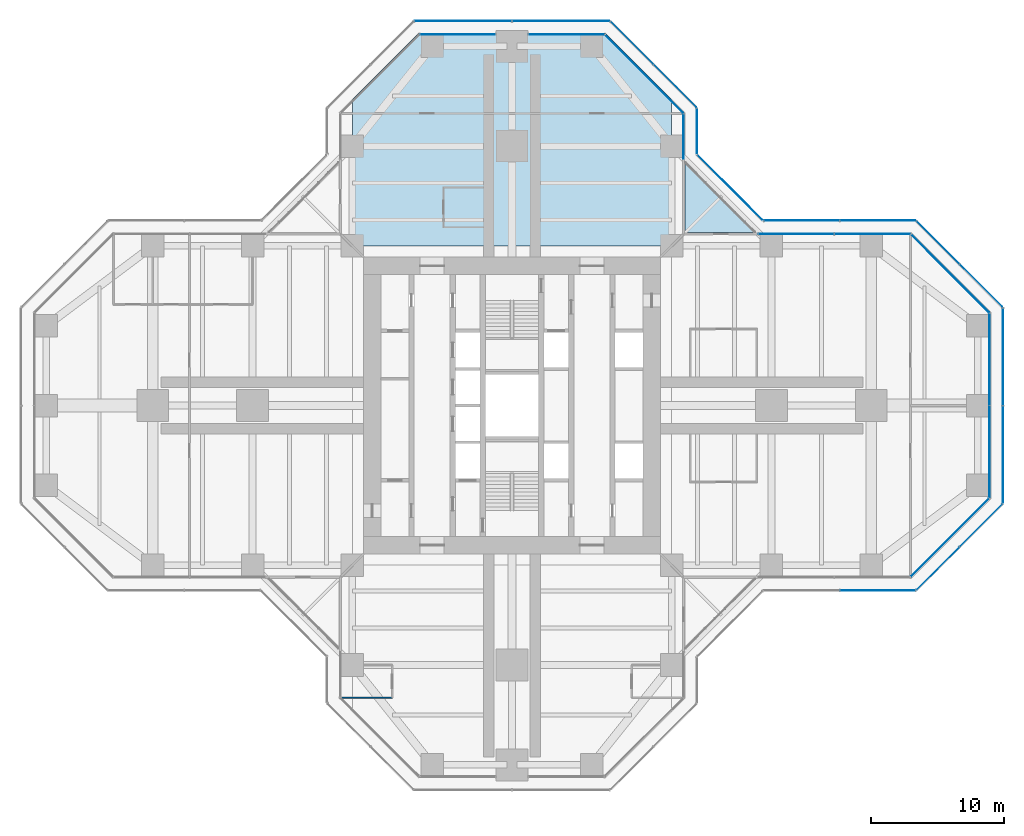
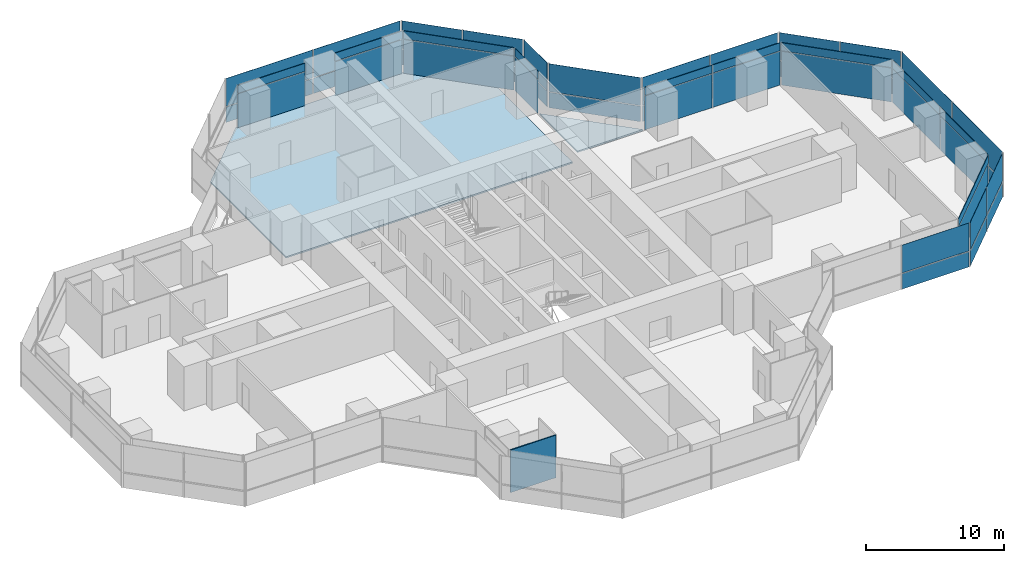
# One storey, part 14 of 19: 50 plates, 2 slabs, 1 wall, 17 elements without a shape of their own.
"""IFC4 building model written with IfcOpenShell, lengths in metres."""

from ifc_helpers import new_model, si_unit, direction, frame, frame_2d, origin, origin_2d, place, context, subcontext, project, spatial, polyline, rectangle, outline, extrude, material, layer, layer_set, type_object, element, aggregate, save


model = new_model("IFC4")

# Units and contexts
model_context = context("Model", 3, precision=1e-05, world=origin(), true_north=direction((0.0, 1.0)))
body_context = subcontext(model_context, "Body", "Model", "MODEL_VIEW")
ifc_project = project(units=[si_unit("LENGTHUNIT", "METRE"), si_unit("AREAUNIT", "SQUARE_METRE"), si_unit("VOLUMEUNIT", "CUBIC_METRE"), si_unit("PLANEANGLEUNIT", "RADIAN"), si_unit("MASSUNIT", "GRAM", prefix="KILO")], contexts=[model_context])

# Site, building, storey
site_placement = place(None, origin())
site = spatial("IfcSite", under=ifc_project, at=site_placement, CompositionType="ELEMENT")
building_placement = place(site_placement, origin())
building = spatial("IfcBuilding", under=site, at=building_placement, Name="Mizan Broadcast Tower", CompositionType="ELEMENT")
storey_placement = place(building_placement, frame((0.0, 0.0, 159.300048828125)))
storey = spatial("IfcBuildingStorey", under=building, at=storey_placement, Name="L36", CompositionType="ELEMENT", Elevation=159.300048828125)

# Slab
ifc_material_1 = material(Name="Concrete C32/40", Category="concrete")
ifc_layer_1 = layer(ifc_material_1, 0.1298828125)
ifc_layer_set_1 = layer_set([ifc_layer_1], Name="Concrete C32/40")
slab_type_1 = type_object("IfcSlabType", Name="COMPOSITE DECK SLAB 130", PredefinedType="FLOOR", material=ifc_layer_set_1)
slab_1_placement = place(storey_placement, frame((0.0, 0.0, -0.130126953125)))
element("IfcSlab", 1, at=slab_1_placement, inside=storey, type_object=slab_type_1, Name="Floor slab L36 north arm", PredefinedType="FLOOR", context=body_context, shape_type="SweptSolid", body=[
    extrude(outline(polyline([(-7.0, 28.0), (-12.0, 23.0), (-12.0, 12.0), (12.0, 12.0), (12.0, 23.0), (7.0, 28.0), (-7.0, 28.0)])), origin(), (0.0, 0.0, 1.0), 0.130126953125),
])

# Curtain wall, plate
ifc_material_2 = material(Name="Aluminium framed glazing", Category="aluminium")
curtain_wall_type_1 = type_object("IfcCurtainWallType", Name="INNER SKIN MID ZONE", PredefinedType="USERDEFINED", material=ifc_material_2)
curtain_wall_1_placement = place(storey_placement, origin())
curtain_wall_1 = element("IfcCurtainWall", 2, at=curtain_wall_1_placement, inside=storey, type_object=curtain_wall_type_1, Name="Inner skin mid zone L36 E chamfer", ObjectType="INNER SKIN MID ZONE", PredefinedType="USERDEFINED")
ifc_material_3 = material(Name="Double glazing, clear low-e", Category="glass")
ifc_layer_2 = layer(ifc_material_3, 0.028076171875)
ifc_layer_set_2 = layer_set([ifc_layer_2], Name="Double glazing, clear low-e")
plate_type_1 = type_object("IfcPlateType", Name="INNER SKIN GLAZING UNIT", PredefinedType="CURTAIN_PANEL", material=ifc_layer_set_2)
plate_1_placement = place(storey_placement, frame((32.92919921875, -9.92919921875, 0.0), z_axis=(0.0, 0.0, 1.0), x_axis=(0.707106781187, 0.707106781187, 0.0)))
plate_1 = element("IfcPlate", 3, at=plate_1_placement, type_object=plate_type_1, Name="Inner skin mid zone L36 E chamfer panel 1.1", PredefinedType="CURTAIN_PANEL", context=body_context, shape_type="SweptSolid", body=[
    extrude(rectangle(XDim=8.282470703125, YDim=0.028076171875, at=origin_2d()), origin(), (0.0, 0.0, 1.0), 3.0),
])

# Curtain wall, plates
curtain_wall_2_placement = place(storey_placement, origin())
curtain_wall_2 = element("IfcCurtainWall", 4, at=curtain_wall_2_placement, inside=storey, type_object=curtain_wall_type_1, Name="Inner skin mid zone L36 E end", ObjectType="INNER SKIN MID ZONE", PredefinedType="USERDEFINED")
plate_2_placement = place(storey_placement, frame((35.89990234375, -3.46435546875, 0.0), z_axis=(0.0, 0.0, 1.0), x_axis=(0.0, 1.0, 0.0)))
plate_2 = element("IfcPlate", 5, at=plate_2_placement, type_object=plate_type_1, Name="Inner skin mid zone L36 E end panel 1.1", PredefinedType="CURTAIN_PANEL", context=body_context, shape_type="SweptSolid", body=[
    extrude(rectangle(XDim=6.86865234375, YDim=0.028076171875, at=origin_2d()), origin(), (0.0, 0.0, 1.0), 3.0),
])
plate_3_placement = place(storey_placement, frame((35.89990234375, 3.46435546875, 0.0), z_axis=(0.0, 0.0, 1.0), x_axis=(0.0, 1.0, 0.0)))
plate_3 = element("IfcPlate", 6, at=plate_3_placement, type_object=plate_type_1, Name="Inner skin mid zone L36 E end panel 2.1", PredefinedType="CURTAIN_PANEL", context=body_context, shape_type="SweptSolid", body=[
    extrude(rectangle(XDim=6.86865234375, YDim=0.028076171875, at=origin_2d()), origin(), (0.0, 0.0, 1.0), 3.0),
])

# Curtain wall, plate
curtain_wall_3_placement = place(storey_placement, origin())
curtain_wall_3 = element("IfcCurtainWall", 7, at=curtain_wall_3_placement, inside=storey, type_object=curtain_wall_type_1, Name="Inner skin mid zone L36 E chamfer", ObjectType="INNER SKIN MID ZONE", PredefinedType="USERDEFINED")
plate_4_placement = place(storey_placement, frame((32.92919921875, 9.92919921875, 0.0), z_axis=(0.0, 0.0, 1.0), x_axis=(-0.707106781187, 0.707106781187, 0.0)))
plate_4 = element("IfcPlate", 8, at=plate_4_placement, type_object=plate_type_1, Name="Inner skin mid zone L36 E chamfer panel 1.1", PredefinedType="CURTAIN_PANEL", context=body_context, shape_type="SweptSolid", body=[
    extrude(rectangle(XDim=8.282470703125, YDim=0.028076171875, at=origin_2d()), origin(), (0.0, 0.0, 1.0), 3.0),
])

# Curtain wall, plates
curtain_wall_4_placement = place(storey_placement, origin())
curtain_wall_4 = element("IfcCurtainWall", 9, at=curtain_wall_4_placement, inside=storey, type_object=curtain_wall_type_1, Name="Inner skin mid zone L36 E side", ObjectType="INNER SKIN MID ZONE", PredefinedType="USERDEFINED")
plate_5_placement = place(storey_placement, frame((27.078857421875, 12.89990234375, 0.0), z_axis=(0.0, 0.0, 1.0), x_axis=(-1.0, 0.0, 0.0)))
plate_5 = element("IfcPlate", 10, at=plate_5_placement, type_object=plate_type_1, Name="Inner skin mid zone L36 E side panel 1.1", PredefinedType="CURTAIN_PANEL", context=body_context, shape_type="SweptSolid", body=[
    extrude(rectangle(XDim=5.639404296875, YDim=0.028076171875, at=origin_2d()), origin(), (0.0, 0.0, 1.0), 3.0),
])
plate_6_placement = place(storey_placement, frame((21.379638671875, 12.89990234375, 0.0), z_axis=(0.0, 0.0, 1.0), x_axis=(-1.0, 0.0, 0.0)))
plate_6 = element("IfcPlate", 11, at=plate_6_placement, type_object=plate_type_1, Name="Inner skin mid zone L36 E side panel 2.1", PredefinedType="CURTAIN_PANEL", context=body_context, shape_type="SweptSolid", body=[
    extrude(rectangle(XDim=5.639404296875, YDim=0.028076171875, at=origin_2d()), origin(), (0.0, 0.0, 1.0), 3.0),
])

# Curtain wall, plate
curtain_wall_5_placement = place(storey_placement, origin())
curtain_wall_5 = element("IfcCurtainWall", 12, at=curtain_wall_5_placement, inside=storey, type_object=curtain_wall_type_1, Name="Inner skin mid zone L36 N side", ObjectType="INNER SKIN MID ZONE", PredefinedType="USERDEFINED")
plate_7_placement = place(storey_placement, frame((12.89990234375, 20.229248046875, 0.0), z_axis=(0.0, 0.0, 1.0), x_axis=(0.0, 1.0, 0.0)))
plate_7 = element("IfcPlate", 13, at=plate_7_placement, type_object=plate_type_1, Name="Inner skin mid zone L36 N side panel 1.1", PredefinedType="CURTAIN_PANEL", context=body_context, shape_type="SweptSolid", body=[
    extrude(rectangle(XDim=3.338623046875, YDim=0.028076171875, at=origin_2d()), origin(), (0.0, 0.0, 1.0), 3.0),
])

curtain_wall_6_placement = place(storey_placement, origin())
curtain_wall_6 = element("IfcCurtainWall", 14, at=curtain_wall_6_placement, inside=storey, type_object=curtain_wall_type_1, Name="Inner skin mid zone L36 N chamfer", ObjectType="INNER SKIN MID ZONE", PredefinedType="USERDEFINED")
plate_8_placement = place(storey_placement, frame((9.92919921875, 24.92919921875, 0.0), z_axis=(0.0, 0.0, 1.0), x_axis=(-0.707106781187, 0.707106781187, 0.0)))
plate_8 = element("IfcPlate", 15, at=plate_8_placement, type_object=plate_type_1, Name="Inner skin mid zone L36 N chamfer panel 1.1", PredefinedType="CURTAIN_PANEL", context=body_context, shape_type="SweptSolid", body=[
    extrude(rectangle(XDim=8.282470703125, YDim=0.028076171875, at=origin_2d()), origin(), (0.0, 0.0, 1.0), 3.0),
])

curtain_wall_7_placement = place(storey_placement, origin())
curtain_wall_7 = element("IfcCurtainWall", 16, at=curtain_wall_7_placement, inside=storey, type_object=curtain_wall_type_1, Name="Inner skin mid zone L36 N end", ObjectType="INNER SKIN MID ZONE", PredefinedType="USERDEFINED")
plate_9_placement = place(storey_placement, frame((4.079345703125, 27.89990234375, 0.0), z_axis=(0.0, 0.0, 1.0), x_axis=(-1.0, 0.0, 0.0)))
plate_9 = element("IfcPlate", 17, at=plate_9_placement, type_object=plate_type_1, Name="Inner skin mid zone L36 N end panel 1.1", PredefinedType="CURTAIN_PANEL", context=body_context, shape_type="SweptSolid", body=[
    extrude(rectangle(XDim=5.638671875, YDim=0.028076171875, at=origin_2d()), origin(), (0.0, 0.0, 1.0), 3.0),
])

curtain_wall_8_placement = place(storey_placement, origin())
curtain_wall_8 = element("IfcCurtainWall", 18, at=curtain_wall_8_placement, inside=storey, type_object=curtain_wall_type_1, Name="Inner skin mid zone L36 N end", ObjectType="INNER SKIN MID ZONE", PredefinedType="USERDEFINED")
plate_10_placement = place(storey_placement, frame((-4.079345703125, 27.89990234375, 0.0), z_axis=(0.0, 0.0, 1.0), x_axis=(-1.0, 0.0, 0.0)))
plate_10 = element("IfcPlate", 19, at=plate_10_placement, type_object=plate_type_1, Name="Inner skin mid zone L36 N end panel 1.1", PredefinedType="CURTAIN_PANEL", context=body_context, shape_type="SweptSolid", body=[
    extrude(rectangle(XDim=5.638671875, YDim=0.028076171875, at=origin_2d()), origin(), (0.0, 0.0, 1.0), 3.0),
])

# Plate
ifc_material_4 = material(Name="Insulated aluminium spandrel panel, pale anodised", Category="aluminium")
ifc_layer_3 = layer(ifc_material_4, 0.050048828125)
ifc_layer_set_3 = layer_set([ifc_layer_3], Name="Insulated aluminium spandrel panel, pale anodised")
plate_type_2 = type_object("IfcPlateType", Name="INNER SKIN SPANDREL PANEL", PredefinedType="CURTAIN_PANEL", material=ifc_layer_set_3)
plate_11_placement = place(storey_placement, frame((32.92919921875, -9.92919921875, 3.06005859375), z_axis=(0.0, 0.0, 1.0), x_axis=(0.707106781187, 0.707106781187, 0.0)))
plate_11 = element("IfcPlate", 20, at=plate_11_placement, type_object=plate_type_2, Name="Inner skin mid zone L36 E chamfer panel 1.2", PredefinedType="CURTAIN_PANEL", context=body_context, shape_type="SweptSolid", body=[
    extrude(rectangle(XDim=8.282470703125, YDim=0.050048828125, at=origin_2d()), origin(), (0.0, 0.0, 1.0), 0.7099609375),
])

aggregate(curtain_wall_1, [plate_1, plate_11])

plate_12_placement = place(storey_placement, frame((35.89990234375, -3.46435546875, 3.06005859375), z_axis=(0.0, 0.0, 1.0), x_axis=(0.0, 1.0, 0.0)))
plate_12 = element("IfcPlate", 21, at=plate_12_placement, type_object=plate_type_2, Name="Inner skin mid zone L36 E end panel 1.2", PredefinedType="CURTAIN_PANEL", context=body_context, shape_type="SweptSolid", body=[
    extrude(rectangle(XDim=6.86865234375, YDim=0.050048828125, at=origin_2d()), origin(), (0.0, 0.0, 1.0), 0.7099609375),
])

plate_13_placement = place(storey_placement, frame((35.89990234375, 3.46435546875, 3.06005859375), z_axis=(0.0, 0.0, 1.0), x_axis=(0.0, 1.0, 0.0)))
plate_13 = element("IfcPlate", 22, at=plate_13_placement, type_object=plate_type_2, Name="Inner skin mid zone L36 E end panel 2.2", PredefinedType="CURTAIN_PANEL", context=body_context, shape_type="SweptSolid", body=[
    extrude(rectangle(XDim=6.86865234375, YDim=0.050048828125, at=origin_2d()), origin(), (0.0, 0.0, 1.0), 0.7099609375),
])

aggregate(curtain_wall_2, [plate_2, plate_12, plate_3, plate_13])

plate_14_placement = place(storey_placement, frame((32.92919921875, 9.92919921875, 3.06005859375), z_axis=(0.0, 0.0, 1.0), x_axis=(-0.707106781187, 0.707106781187, 0.0)))
plate_14 = element("IfcPlate", 23, at=plate_14_placement, type_object=plate_type_2, Name="Inner skin mid zone L36 E chamfer panel 1.2", PredefinedType="CURTAIN_PANEL", context=body_context, shape_type="SweptSolid", body=[
    extrude(rectangle(XDim=8.282470703125, YDim=0.050048828125, at=origin_2d()), origin(), (0.0, 0.0, 1.0), 0.7099609375),
])

aggregate(curtain_wall_3, [plate_4, plate_14])

plate_15_placement = place(storey_placement, frame((27.078857421875, 12.89990234375, 3.06005859375), z_axis=(0.0, 0.0, 1.0), x_axis=(-1.0, 0.0, 0.0)))
plate_15 = element("IfcPlate", 24, at=plate_15_placement, type_object=plate_type_2, Name="Inner skin mid zone L36 E side panel 1.2", PredefinedType="CURTAIN_PANEL", context=body_context, shape_type="SweptSolid", body=[
    extrude(rectangle(XDim=5.639404296875, YDim=0.050048828125, at=origin_2d()), origin(), (0.0, 0.0, 1.0), 0.7099609375),
])

plate_16_placement = place(storey_placement, frame((21.379638671875, 12.89990234375, 3.06005859375), z_axis=(0.0, 0.0, 1.0), x_axis=(-1.0, 0.0, 0.0)))
plate_16 = element("IfcPlate", 25, at=plate_16_placement, type_object=plate_type_2, Name="Inner skin mid zone L36 E side panel 2.2", PredefinedType="CURTAIN_PANEL", context=body_context, shape_type="SweptSolid", body=[
    extrude(rectangle(XDim=5.639404296875, YDim=0.050048828125, at=origin_2d()), origin(), (0.0, 0.0, 1.0), 0.7099609375),
])

aggregate(curtain_wall_4, [plate_5, plate_15, plate_6, plate_16])

plate_17_placement = place(storey_placement, frame((12.89990234375, 20.229248046875, 3.06005859375), z_axis=(0.0, 0.0, 1.0), x_axis=(0.0, 1.0, 0.0)))
plate_17 = element("IfcPlate", 26, at=plate_17_placement, type_object=plate_type_2, Name="Inner skin mid zone L36 N side panel 1.2", PredefinedType="CURTAIN_PANEL", context=body_context, shape_type="SweptSolid", body=[
    extrude(rectangle(XDim=3.338623046875, YDim=0.050048828125, at=origin_2d()), origin(), (0.0, 0.0, 1.0), 0.7099609375),
])

aggregate(curtain_wall_5, [plate_7, plate_17])

plate_18_placement = place(storey_placement, frame((9.92919921875, 24.92919921875, 3.06005859375), z_axis=(0.0, 0.0, 1.0), x_axis=(-0.707106781187, 0.707106781187, 0.0)))
plate_18 = element("IfcPlate", 27, at=plate_18_placement, type_object=plate_type_2, Name="Inner skin mid zone L36 N chamfer panel 1.2", PredefinedType="CURTAIN_PANEL", context=body_context, shape_type="SweptSolid", body=[
    extrude(rectangle(XDim=8.282470703125, YDim=0.050048828125, at=origin_2d()), origin(), (0.0, 0.0, 1.0), 0.7099609375),
])

aggregate(curtain_wall_6, [plate_8, plate_18])

plate_19_placement = place(storey_placement, frame((4.079345703125, 27.89990234375, 3.06005859375), z_axis=(0.0, 0.0, 1.0), x_axis=(-1.0, 0.0, 0.0)))
plate_19 = element("IfcPlate", 28, at=plate_19_placement, type_object=plate_type_2, Name="Inner skin mid zone L36 N end panel 1.2", PredefinedType="CURTAIN_PANEL", context=body_context, shape_type="SweptSolid", body=[
    extrude(rectangle(XDim=5.638671875, YDim=0.050048828125, at=origin_2d()), origin(), (0.0, 0.0, 1.0), 0.7099609375),
])

aggregate(curtain_wall_7, [plate_9, plate_19])

plate_20_placement = place(storey_placement, frame((-4.079345703125, 27.89990234375, 3.06005859375), z_axis=(0.0, 0.0, 1.0), x_axis=(-1.0, 0.0, 0.0)))
plate_20 = element("IfcPlate", 29, at=plate_20_placement, type_object=plate_type_2, Name="Inner skin mid zone L36 N end panel 1.2", PredefinedType="CURTAIN_PANEL", context=body_context, shape_type="SweptSolid", body=[
    extrude(rectangle(XDim=5.638671875, YDim=0.050048828125, at=origin_2d()), origin(), (0.0, 0.0, 1.0), 0.7099609375),
])

aggregate(curtain_wall_8, [plate_10, plate_20])

# Curtain wall, plates
ifc_material_5 = material(Name="Aluminium framed glazing", Category="aluminium")
curtain_wall_type_2 = type_object("IfcCurtainWallType", Name="OUTER SKIN", PredefinedType="USERDEFINED", material=ifc_material_5)
curtain_wall_9_placement = place(storey_placement, origin())
curtain_wall_9 = element("IfcCurtainWall", 30, at=curtain_wall_9_placement, inside=storey, type_object=curtain_wall_type_2, Name="Outer skin L36 E chamfer", ObjectType="OUTER SKIN", PredefinedType="USERDEFINED")
ifc_material_6 = material(Name="Laminated clear glass", Category="glass")
ifc_layer_4 = layer(ifc_material_6, 0.02001953125)
ifc_layer_set_4 = layer_set([ifc_layer_4], Name="Laminated clear glass")
plate_type_3 = type_object("IfcPlateType", Name="OUTER SKIN CLEAR GLASS", PredefinedType="CURTAIN_PANEL", material=ifc_layer_set_4)
plate_21_placement = place(storey_placement, frame((32.018798828125, -12.254150390625, 0.0), z_axis=(0.0, 0.0, 1.0), x_axis=(0.707106781187, 0.707106781187, 0.0)))
plate_21 = element("IfcPlate", 31, at=plate_21_placement, type_object=plate_type_3, Name="Outer skin L36 E chamfer panel 1.1", PredefinedType="CURTAIN_PANEL", context=body_context, shape_type="SweptSolid", body=[
    extrude(rectangle(XDim=4.495361328125, YDim=0.02001953125, at=origin_2d()), origin(), (0.0, 0.0, 1.0), 1.3701171875),
])
plate_22_placement = place(storey_placement, frame((32.018798828125, -12.254150390625, 1.43017578125), z_axis=(0.0, 0.0, 1.0), x_axis=(0.707106781187, 0.707106781187, 0.0)))
plate_22 = element("IfcPlate", 32, at=plate_22_placement, type_object=plate_type_3, Name="Outer skin L36 E chamfer panel 1.2", PredefinedType="CURTAIN_PANEL", context=body_context, shape_type="SweptSolid", body=[
    extrude(rectangle(XDim=4.495361328125, YDim=0.02001953125, at=origin_2d()), origin(), (0.0, 0.0, 1.0), 2.469970703125),
])

curtain_wall_10_placement = place(storey_placement, origin())
curtain_wall_10 = element("IfcCurtainWall", 33, at=curtain_wall_10_placement, inside=storey, type_object=curtain_wall_type_2, Name="Outer skin L36 E end", ObjectType="OUTER SKIN", PredefinedType="USERDEFINED")
plate_23_placement = place(storey_placement, frame((36.89990234375, -3.66650390625, 0.0), z_axis=(0.0, 0.0, 1.0), x_axis=(0.0, 1.0, 0.0)))
plate_23 = element("IfcPlate", 34, at=plate_23_placement, type_object=plate_type_3, Name="Outer skin L36 E end panel 1.1", PredefinedType="CURTAIN_PANEL", context=body_context, shape_type="SweptSolid", body=[
    extrude(rectangle(XDim=7.252685546875, YDim=0.02001953125, at=origin_2d()), origin(), (0.0, 0.0, 1.0), 1.3701171875),
])
plate_24_placement = place(storey_placement, frame((36.89990234375, -3.66650390625, 1.43017578125), z_axis=(0.0, 0.0, 1.0), x_axis=(0.0, 1.0, 0.0)))
plate_24 = element("IfcPlate", 35, at=plate_24_placement, type_object=plate_type_3, Name="Outer skin L36 E end panel 1.2", PredefinedType="CURTAIN_PANEL", context=body_context, shape_type="SweptSolid", body=[
    extrude(rectangle(XDim=7.252685546875, YDim=0.02001953125, at=origin_2d()), origin(), (0.0, 0.0, 1.0), 2.469970703125),
])

curtain_wall_11_placement = place(storey_placement, origin())
curtain_wall_11 = element("IfcCurtainWall", 36, at=curtain_wall_11_placement, inside=storey, type_object=curtain_wall_type_2, Name="Outer skin L36 E chamfer", ObjectType="OUTER SKIN", PredefinedType="USERDEFINED")
plate_25_placement = place(storey_placement, frame((35.254150390625, 9.018798828125, 0.0), z_axis=(0.0, 0.0, 1.0), x_axis=(-0.707106781187, 0.707106781187, 0.0)))
plate_25 = element("IfcPlate", 37, at=plate_25_placement, type_object=plate_type_3, Name="Outer skin L36 E chamfer panel 1.1", PredefinedType="CURTAIN_PANEL", context=body_context, shape_type="SweptSolid", body=[
    extrude(rectangle(XDim=4.495361328125, YDim=0.02001953125, at=origin_2d()), origin(), (0.0, 0.0, 1.0), 1.3701171875),
])
plate_26_placement = place(storey_placement, frame((35.254150390625, 9.018798828125, 1.43017578125), z_axis=(0.0, 0.0, 1.0), x_axis=(-0.707106781187, 0.707106781187, 0.0)))
plate_26 = element("IfcPlate", 38, at=plate_26_placement, type_object=plate_type_3, Name="Outer skin L36 E chamfer panel 1.2", PredefinedType="CURTAIN_PANEL", context=body_context, shape_type="SweptSolid", body=[
    extrude(rectangle(XDim=4.495361328125, YDim=0.02001953125, at=origin_2d()), origin(), (0.0, 0.0, 1.0), 2.469970703125),
])

curtain_wall_12_placement = place(storey_placement, origin())
curtain_wall_12 = element("IfcCurtainWall", 39, at=curtain_wall_12_placement, inside=storey, type_object=curtain_wall_type_2, Name="Outer skin L36 E side", ObjectType="OUTER SKIN", PredefinedType="USERDEFINED")
plate_27_placement = place(storey_placement, frame((27.477783203125, 13.89990234375, 0.0), z_axis=(0.0, 0.0, 1.0), x_axis=(-1.0, 0.0, 0.0)))
plate_27 = element("IfcPlate", 40, at=plate_27_placement, type_object=plate_type_3, Name="Outer skin L36 E side panel 1.1", PredefinedType="CURTAIN_PANEL", context=body_context, shape_type="SweptSolid", body=[
    extrude(rectangle(XDim=5.6298828125, YDim=0.02001953125, at=origin_2d()), origin(), (0.0, 0.0, 1.0), 1.3701171875),
])
plate_28_placement = place(storey_placement, frame((27.477783203125, 13.89990234375, 1.43017578125), z_axis=(0.0, 0.0, 1.0), x_axis=(-1.0, 0.0, 0.0)))
plate_28 = element("IfcPlate", 41, at=plate_28_placement, type_object=plate_type_3, Name="Outer skin L36 E side panel 1.2", PredefinedType="CURTAIN_PANEL", context=body_context, shape_type="SweptSolid", body=[
    extrude(rectangle(XDim=5.6298828125, YDim=0.02001953125, at=origin_2d()), origin(), (0.0, 0.0, 1.0), 2.469970703125),
])
plate_29_placement = place(storey_placement, frame((21.767822265625, 13.89990234375, 0.0), z_axis=(0.0, 0.0, 1.0), x_axis=(-1.0, 0.0, 0.0)))
plate_29 = element("IfcPlate", 42, at=plate_29_placement, type_object=plate_type_3, Name="Outer skin L36 E side panel 2.1", PredefinedType="CURTAIN_PANEL", context=body_context, shape_type="SweptSolid", body=[
    extrude(rectangle(XDim=5.6298828125, YDim=0.02001953125, at=origin_2d()), origin(), (0.0, 0.0, 1.0), 1.3701171875),
])
plate_30_placement = place(storey_placement, frame((21.767822265625, 13.89990234375, 1.43017578125), z_axis=(0.0, 0.0, 1.0), x_axis=(-1.0, 0.0, 0.0)))
plate_30 = element("IfcPlate", 43, at=plate_30_placement, type_object=plate_type_3, Name="Outer skin L36 E side panel 2.2", PredefinedType="CURTAIN_PANEL", context=body_context, shape_type="SweptSolid", body=[
    extrude(rectangle(XDim=5.6298828125, YDim=0.02001953125, at=origin_2d()), origin(), (0.0, 0.0, 1.0), 2.469970703125),
])
aggregate(curtain_wall_12, [plate_27, plate_28, plate_29, plate_30])

curtain_wall_13_placement = place(storey_placement, origin())
curtain_wall_13 = element("IfcCurtainWall", 44, at=curtain_wall_13_placement, inside=storey, type_object=curtain_wall_type_2, Name="Outer skin L36 E chamfer", ObjectType="OUTER SKIN", PredefinedType="USERDEFINED")
plate_31_placement = place(storey_placement, frame((16.386474609375, 16.386474609375, 0.0), z_axis=(0.0, 0.0, 1.0), x_axis=(-0.707106781187, 0.707106781187, 0.0)))
plate_31 = element("IfcPlate", 45, at=plate_31_placement, type_object=plate_type_3, Name="Outer skin L36 E chamfer panel 1.1", PredefinedType="CURTAIN_PANEL", context=body_context, shape_type="SweptSolid", body=[
    extrude(rectangle(XDim=6.87255859375, YDim=0.02001953125, at=origin_2d()), origin(), (0.0, 0.0, 1.0), 1.3701171875),
])
plate_32_placement = place(storey_placement, frame((16.386474609375, 16.386474609375, 1.43017578125), z_axis=(0.0, 0.0, 1.0), x_axis=(-0.707106781187, 0.707106781187, 0.0)))
plate_32 = element("IfcPlate", 46, at=plate_32_placement, type_object=plate_type_3, Name="Outer skin L36 E chamfer panel 1.2", PredefinedType="CURTAIN_PANEL", context=body_context, shape_type="SweptSolid", body=[
    extrude(rectangle(XDim=6.87255859375, YDim=0.02001953125, at=origin_2d()), origin(), (0.0, 0.0, 1.0), 2.469970703125),
])
aggregate(curtain_wall_13, [plate_31, plate_32])

curtain_wall_14_placement = place(storey_placement, origin())
curtain_wall_14 = element("IfcCurtainWall", 47, at=curtain_wall_14_placement, inside=storey, type_object=curtain_wall_type_2, Name="Outer skin L36 N side", ObjectType="OUTER SKIN", PredefinedType="USERDEFINED")
plate_33_placement = place(storey_placement, frame((13.89990234375, 20.622802734375, 0.0), z_axis=(0.0, 0.0, 1.0), x_axis=(0.0, 1.0, 0.0)))
plate_33 = element("IfcPlate", 48, at=plate_33_placement, type_object=plate_type_3, Name="Outer skin L36 N side panel 1.1", PredefinedType="CURTAIN_PANEL", context=body_context, shape_type="SweptSolid", body=[
    extrude(rectangle(XDim=3.340087890625, YDim=0.02001953125, at=origin_2d()), origin(), (0.0, 0.0, 1.0), 1.3701171875),
])
plate_34_placement = place(storey_placement, frame((13.89990234375, 20.622802734375, 1.43017578125), z_axis=(0.0, 0.0, 1.0), x_axis=(0.0, 1.0, 0.0)))
plate_34 = element("IfcPlate", 49, at=plate_34_placement, type_object=plate_type_3, Name="Outer skin L36 N side panel 1.2", PredefinedType="CURTAIN_PANEL", context=body_context, shape_type="SweptSolid", body=[
    extrude(rectangle(XDim=3.340087890625, YDim=0.02001953125, at=origin_2d()), origin(), (0.0, 0.0, 1.0), 2.469970703125),
])
aggregate(curtain_wall_14, [plate_33, plate_34])

curtain_wall_15_placement = place(storey_placement, origin())
curtain_wall_15 = element("IfcCurtainWall", 50, at=curtain_wall_15_placement, inside=storey, type_object=curtain_wall_type_2, Name="Outer skin L36 N chamfer", ObjectType="OUTER SKIN", PredefinedType="USERDEFINED")
plate_35_placement = place(storey_placement, frame((12.254150390625, 24.018798828125, 0.0), z_axis=(0.0, 0.0, 1.0), x_axis=(-0.707106781187, 0.707106781187, 0.0)))
plate_35 = element("IfcPlate", 51, at=plate_35_placement, type_object=plate_type_3, Name="Outer skin L36 N chamfer panel 1.1", PredefinedType="CURTAIN_PANEL", context=body_context, shape_type="SweptSolid", body=[
    extrude(rectangle(XDim=4.495361328125, YDim=0.02001953125, at=origin_2d()), origin(), (0.0, 0.0, 1.0), 1.3701171875),
])
plate_36_placement = place(storey_placement, frame((12.254150390625, 24.018798828125, 1.43017578125), z_axis=(0.0, 0.0, 1.0), x_axis=(-0.707106781187, 0.707106781187, 0.0)))
plate_36 = element("IfcPlate", 52, at=plate_36_placement, type_object=plate_type_3, Name="Outer skin L36 N chamfer panel 1.2", PredefinedType="CURTAIN_PANEL", context=body_context, shape_type="SweptSolid", body=[
    extrude(rectangle(XDim=4.495361328125, YDim=0.02001953125, at=origin_2d()), origin(), (0.0, 0.0, 1.0), 2.469970703125),
])

curtain_wall_16_placement = place(storey_placement, origin())
curtain_wall_16 = element("IfcCurtainWall", 53, at=curtain_wall_16_placement, inside=storey, type_object=curtain_wall_type_2, Name="Outer skin L36 N end", ObjectType="OUTER SKIN", PredefinedType="USERDEFINED")
plate_37_placement = place(storey_placement, frame((3.66650390625, 28.89990234375, 0.0), z_axis=(0.0, 0.0, 1.0), x_axis=(-1.0, 0.0, 0.0)))
plate_37 = element("IfcPlate", 54, at=plate_37_placement, type_object=plate_type_3, Name="Outer skin L36 N end panel 1.1", PredefinedType="CURTAIN_PANEL", context=body_context, shape_type="SweptSolid", body=[
    extrude(rectangle(XDim=7.252685546875, YDim=0.02001953125, at=origin_2d()), origin(), (0.0, 0.0, 1.0), 1.3701171875),
])
plate_38_placement = place(storey_placement, frame((3.66650390625, 28.89990234375, 1.43017578125), z_axis=(0.0, 0.0, 1.0), x_axis=(-1.0, 0.0, 0.0)))
plate_38 = element("IfcPlate", 55, at=plate_38_placement, type_object=plate_type_3, Name="Outer skin L36 N end panel 1.2", PredefinedType="CURTAIN_PANEL", context=body_context, shape_type="SweptSolid", body=[
    extrude(rectangle(XDim=7.252685546875, YDim=0.02001953125, at=origin_2d()), origin(), (0.0, 0.0, 1.0), 2.469970703125),
])
plate_39_placement = place(storey_placement, frame((-3.66650390625, 28.89990234375, 0.0), z_axis=(0.0, 0.0, 1.0), x_axis=(-1.0, 0.0, 0.0)))
plate_39 = element("IfcPlate", 56, at=plate_39_placement, type_object=plate_type_3, Name="Outer skin L36 N end panel 2.1", PredefinedType="CURTAIN_PANEL", context=body_context, shape_type="SweptSolid", body=[
    extrude(rectangle(XDim=7.252685546875, YDim=0.02001953125, at=origin_2d()), origin(), (0.0, 0.0, 1.0), 1.3701171875),
])
plate_40_placement = place(storey_placement, frame((-3.66650390625, 28.89990234375, 1.43017578125), z_axis=(0.0, 0.0, 1.0), x_axis=(-1.0, 0.0, 0.0)))
plate_40 = element("IfcPlate", 57, at=plate_40_placement, type_object=plate_type_3, Name="Outer skin L36 N end panel 2.2", PredefinedType="CURTAIN_PANEL", context=body_context, shape_type="SweptSolid", body=[
    extrude(rectangle(XDim=7.252685546875, YDim=0.02001953125, at=origin_2d()), origin(), (0.0, 0.0, 1.0), 2.469970703125),
])
aggregate(curtain_wall_16, [plate_37, plate_38, plate_39, plate_40])

# Plate
ifc_material_7 = material(Name="Perforated aluminium, pale anodised", Category="aluminium")
ifc_layer_5 = layer(ifc_material_7, 0.011962890625)
ifc_layer_set_5 = layer_set([ifc_layer_5], Name="Perforated aluminium, pale anodised")
plate_type_4 = type_object("IfcPlateType", Name="OUTER SKIN PERFORATED SCREEN", PredefinedType="USERDEFINED", material=ifc_layer_set_5)
plate_41_placement = place(storey_placement, frame((35.254150390625, -9.018798828125, 0.0), z_axis=(0.0, 0.0, 1.0), x_axis=(0.707106781187, 0.707106781187, 0.0)))
plate_41 = element("IfcPlate", 58, at=plate_41_placement, type_object=plate_type_4, Name="Outer skin L36 E chamfer panel 2.1", ObjectType="SCREEN", PredefinedType="USERDEFINED", context=body_context, shape_type="SweptSolid", body=[
    extrude(rectangle(XDim=4.495361328125, YDim=0.011962890625, at=origin_2d()), origin(), (0.0, 0.0, 1.0), 1.3701171875),
])

plate_42_placement = place(storey_placement, frame((35.254150390625, -9.018798828125, 1.43017578125), z_axis=(0.0, 0.0, 1.0), x_axis=(0.707106781187, 0.707106781187, 0.0)))
plate_42 = element("IfcPlate", 59, at=plate_42_placement, type_object=plate_type_4, Name="Outer skin L36 E chamfer panel 2.2", ObjectType="SCREEN", PredefinedType="USERDEFINED", context=body_context, shape_type="SweptSolid", body=[
    extrude(rectangle(XDim=4.495361328125, YDim=0.011962890625, at=origin_2d()), origin(), (0.0, 0.0, 1.0), 2.469970703125),
])

aggregate(curtain_wall_9, [plate_21, plate_22, plate_41, plate_42])

plate_43_placement = place(storey_placement, frame((36.89990234375, 3.66650390625, 0.0), z_axis=(0.0, 0.0, 1.0), x_axis=(0.0, 1.0, 0.0)))
plate_43 = element("IfcPlate", 60, at=plate_43_placement, type_object=plate_type_4, Name="Outer skin L36 E end panel 2.1", ObjectType="SCREEN", PredefinedType="USERDEFINED", context=body_context, shape_type="SweptSolid", body=[
    extrude(rectangle(XDim=7.252685546875, YDim=0.011962890625, at=origin_2d()), origin(), (0.0, 0.0, 1.0), 1.3701171875),
])

plate_44_placement = place(storey_placement, frame((36.89990234375, 3.66650390625, 1.43017578125), z_axis=(0.0, 0.0, 1.0), x_axis=(0.0, 1.0, 0.0)))
plate_44 = element("IfcPlate", 61, at=plate_44_placement, type_object=plate_type_4, Name="Outer skin L36 E end panel 2.2", ObjectType="SCREEN", PredefinedType="USERDEFINED", context=body_context, shape_type="SweptSolid", body=[
    extrude(rectangle(XDim=7.252685546875, YDim=0.011962890625, at=origin_2d()), origin(), (0.0, 0.0, 1.0), 2.469970703125),
])

aggregate(curtain_wall_10, [plate_23, plate_24, plate_43, plate_44])

plate_45_placement = place(storey_placement, frame((32.018798828125, 12.254150390625, 0.0), z_axis=(0.0, 0.0, 1.0), x_axis=(-0.707106781187, 0.707106781187, 0.0)))
plate_45 = element("IfcPlate", 62, at=plate_45_placement, type_object=plate_type_4, Name="Outer skin L36 E chamfer panel 2.1", ObjectType="SCREEN", PredefinedType="USERDEFINED", context=body_context, shape_type="SweptSolid", body=[
    extrude(rectangle(XDim=4.495361328125, YDim=0.011962890625, at=origin_2d()), origin(), (0.0, 0.0, 1.0), 1.3701171875),
])

plate_46_placement = place(storey_placement, frame((32.018798828125, 12.254150390625, 1.43017578125), z_axis=(0.0, 0.0, 1.0), x_axis=(-0.707106781187, 0.707106781187, 0.0)))
plate_46 = element("IfcPlate", 63, at=plate_46_placement, type_object=plate_type_4, Name="Outer skin L36 E chamfer panel 2.2", ObjectType="SCREEN", PredefinedType="USERDEFINED", context=body_context, shape_type="SweptSolid", body=[
    extrude(rectangle(XDim=4.495361328125, YDim=0.011962890625, at=origin_2d()), origin(), (0.0, 0.0, 1.0), 2.469970703125),
])

aggregate(curtain_wall_11, [plate_25, plate_26, plate_45, plate_46])

plate_47_placement = place(storey_placement, frame((9.018798828125, 27.254150390625, 0.0), z_axis=(0.0, 0.0, 1.0), x_axis=(-0.707106781187, 0.707106781187, 0.0)))
plate_47 = element("IfcPlate", 64, at=plate_47_placement, type_object=plate_type_4, Name="Outer skin L36 N chamfer panel 2.1", ObjectType="SCREEN", PredefinedType="USERDEFINED", context=body_context, shape_type="SweptSolid", body=[
    extrude(rectangle(XDim=4.495361328125, YDim=0.011962890625, at=origin_2d()), origin(), (0.0, 0.0, 1.0), 1.3701171875),
])

plate_48_placement = place(storey_placement, frame((9.018798828125, 27.254150390625, 1.43017578125), z_axis=(0.0, 0.0, 1.0), x_axis=(-0.707106781187, 0.707106781187, 0.0)))
plate_48 = element("IfcPlate", 65, at=plate_48_placement, type_object=plate_type_4, Name="Outer skin L36 N chamfer panel 2.2", ObjectType="SCREEN", PredefinedType="USERDEFINED", context=body_context, shape_type="SweptSolid", body=[
    extrude(rectangle(XDim=4.495361328125, YDim=0.011962890625, at=origin_2d()), origin(), (0.0, 0.0, 1.0), 2.469970703125),
])

aggregate(curtain_wall_15, [plate_35, plate_36, plate_47, plate_48])

# Curtain wall, plates
curtain_wall_17_placement = place(storey_placement, origin())
curtain_wall_17 = element("IfcCurtainWall", 66, at=curtain_wall_17_placement, inside=storey, type_object=curtain_wall_type_2, Name="Outer skin L36 E side", ObjectType="OUTER SKIN", PredefinedType="USERDEFINED")
plate_49_placement = place(storey_placement, frame((27.477783203125, -13.89990234375, 0.0), z_axis=(0.0, 0.0, 1.0), x_axis=(1.0, 0.0, 0.0)))
plate_49 = element("IfcPlate", 67, at=plate_49_placement, type_object=plate_type_4, Name="Outer skin L36 E side panel 2.1", ObjectType="SCREEN", PredefinedType="USERDEFINED", context=body_context, shape_type="SweptSolid", body=[
    extrude(rectangle(XDim=5.6298828125, YDim=0.011962890625, at=origin_2d()), origin(), (0.0, 0.0, 1.0), 1.3701171875),
])
plate_50_placement = place(storey_placement, frame((27.477783203125, -13.89990234375, 1.43017578125), z_axis=(0.0, 0.0, 1.0), x_axis=(1.0, 0.0, 0.0)))
plate_50 = element("IfcPlate", 68, at=plate_50_placement, type_object=plate_type_4, Name="Outer skin L36 E side panel 2.2", ObjectType="SCREEN", PredefinedType="USERDEFINED", context=body_context, shape_type="SweptSolid", body=[
    extrude(rectangle(XDim=5.6298828125, YDim=0.011962890625, at=origin_2d()), origin(), (0.0, 0.0, 1.0), 2.469970703125),
])
aggregate(curtain_wall_17, [plate_49, plate_50])

# Slab
ifc_material_8 = material(Name="Concrete C32/40", Category="concrete")
ifc_layer_6 = layer(ifc_material_8, 0.1298828125)
ifc_layer_set_6 = layer_set([ifc_layer_6], Name="Concrete C32/40")
slab_type_2 = type_object("IfcSlabType", Name="WINTER GARDEN SLAB 130", PredefinedType="FLOOR", material=ifc_layer_set_6)
slab_2_placement = place(storey_placement, frame((0.0, 0.0, -0.130126953125)))
element("IfcSlab", 69, at=slab_2_placement, inside=storey, type_object=slab_type_2, Name="Winter garden slab L36 E", PredefinedType="FLOOR", context=body_context, shape_type="SweptSolid", body=[
    extrude(outline(polyline([(13.0, 13.0), (18.5, 13.0), (13.0, 18.5), (13.0, 13.0)])), origin(), (0.0, 0.0, 1.0), 0.130126953125),
])

# Wall
ifc_material_9 = material(Name="Glazed aluminium partition on aluminium track", Category="aluminium")
ifc_layer_7 = layer(ifc_material_9, 0.10009765625)
ifc_layer_set_7 = layer_set([ifc_layer_7], Name="Glazed aluminium partition on aluminium track")
wall_type = type_object("IfcWallType", Name="PARTITION GLAZED OFFICE FRONT 100", PredefinedType="PARTITIONING", material=ifc_layer_set_7)
wall_placement = place(storey_placement, frame((-9.0, -21.958984375, 0.0), z_axis=(0.0, 0.0, 1.0), x_axis=(-1.0, 0.0, 0.0)))
element("IfcWall", 70, at=wall_placement, inside=storey, type_object=wall_type, Name="Glazed office front PT/SQN2196", PredefinedType="PARTITIONING", context=body_context, shape_type="SweptSolid", body=[
    extrude(rectangle(XDim=3.820068359375, YDim=0.10009765625, at=frame_2d((1.91015625, 0.0))), origin(), (0.0, 0.0, 1.0), 3.77001953125),
])

save(model, "model.ifc")
